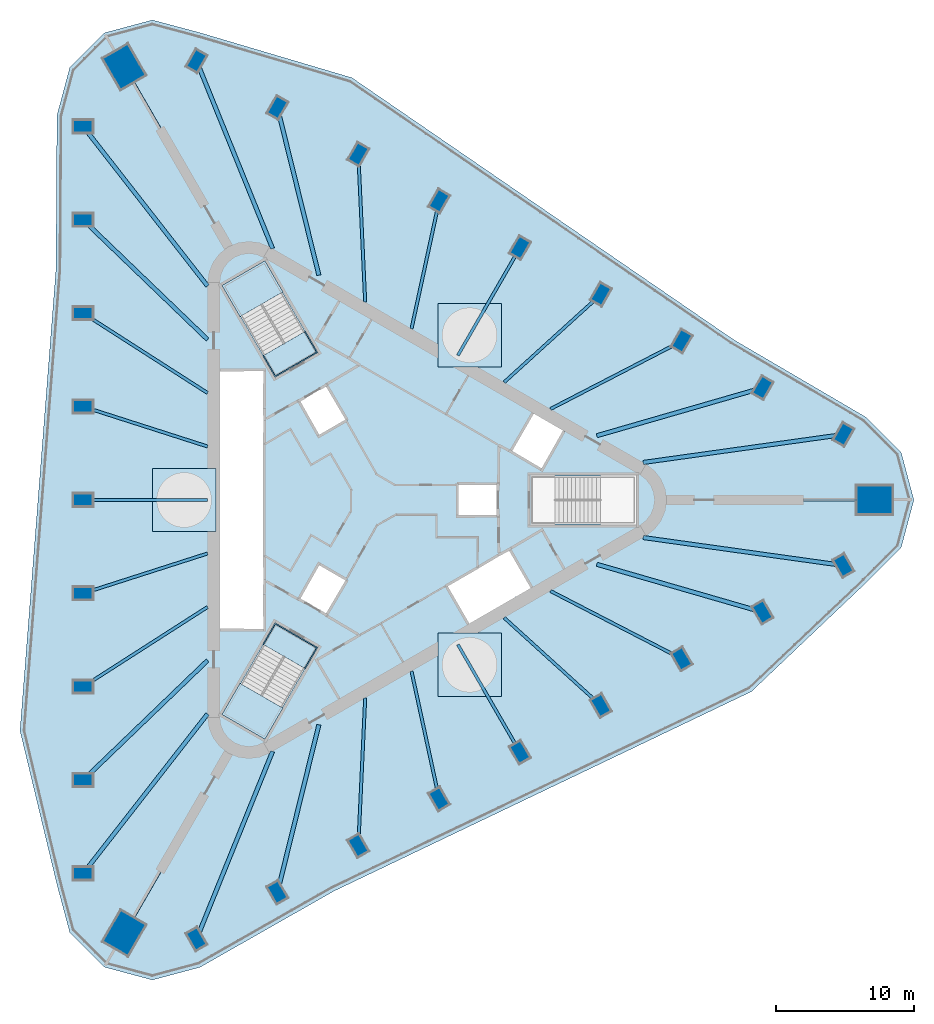
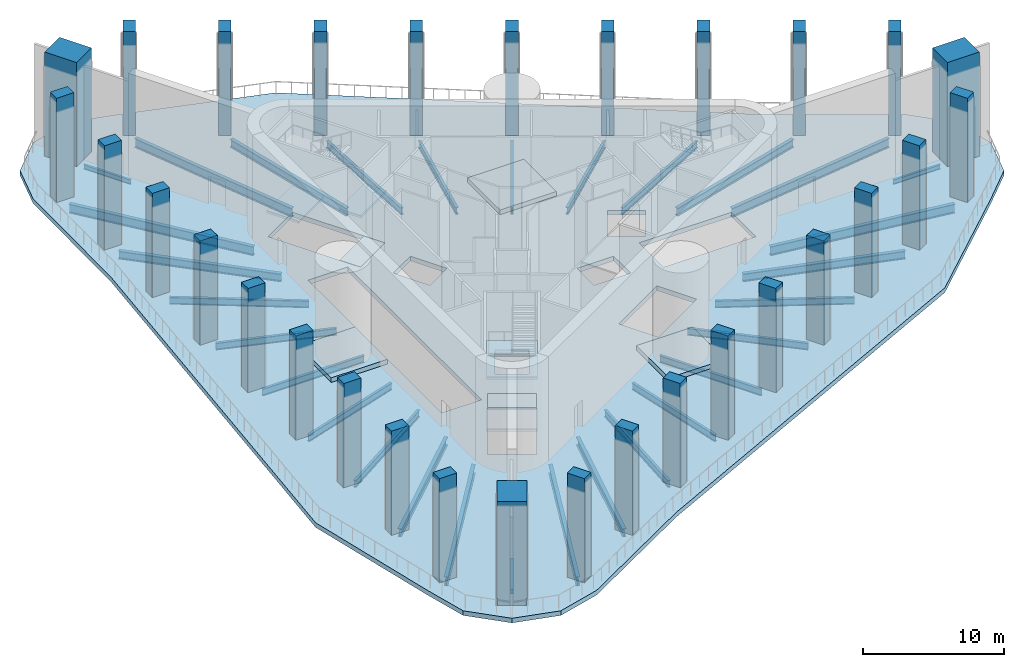
# One storey, part 1 of 10: 30 beams, 30 columns, 11 slabs, 2 elements without a shape of their own.
"""IFC4 building model written with IfcOpenShell, lengths in metres."""

import ifcopenshell
import ifcopenshell.guid

model = None  # the IFC model being written
_history = None  # IfcOwnerHistory: only IFC2X3 demands one
_inside = {}  # id of a spatial element -> (the spatial element, [elements in it])
_under = {}  # id of a project, library or spatial element -> (it, [spatial elements below it])
_declared = {}  # id of a project -> (the project, [libraries it declares])
_typed = {}  # id of a type object -> (the type object, [elements of that type])
_made_of = {}  # id of a material, layer set ... -> (it, [elements and type objects made of it])


def new_model(schema):
    """Start an empty IFC model of exactly this schema.

    Asked for "IFC4X3", IfcOpenShell would pick the latest addendum, in which some entities
    have other attributes; the version numbers below select the first issue.
    IFC2X3 requires an IfcOwnerHistory on every rooted entity: one is made here for all.
    """
    global model, _history
    if schema == "IFC4X3":
        model = ifcopenshell.file(schema_version=(4, 3, 0, 0))
    else:
        model = ifcopenshell.file(schema=schema)
    _inside.clear()
    _under.clear()
    _declared.clear()
    _typed.clear()
    _made_of.clear()
    _history = None
    if model.schema == "IFC2X3":
        org = make("IfcOrganization", Name="unknown")
        user = make(
            "IfcPersonAndOrganization",
            ThePerson=make("IfcPerson", FamilyName="unknown"),
            TheOrganization=org,
        )
        app = make(
            "IfcApplication",
            ApplicationDeveloper=org,
            Version="unknown",
            ApplicationFullName="unknown",
            ApplicationIdentifier="unknown",
        )
        _history = make(
            "IfcOwnerHistory",
            OwningUser=user,
            OwningApplication=app,
            ChangeAction="ADDED",
            CreationDate=0,
        )
    return model


def make(cls, **values):
    """One entity of the class cls with the attributes given. An attribute that is None is left unset."""
    return model.create_entity(
        cls, **{name: value for name, value in values.items() if value is not None}
    )


def rooted(cls, **values):
    """An entity with a GlobalId (a new one), such as an element, a storey or a relation."""
    return make(cls, GlobalId=ifcopenshell.guid.new(), OwnerHistory=_history, **values)


def si_unit(unit_type, name, prefix=None):
    """IfcSIUnit, for example si_unit("LENGTHUNIT", "METRE", prefix="MILLI")."""
    return make("IfcSIUnit", UnitType=unit_type, Prefix=prefix, Name=name)


def assignment(units):
    """IfcUnitAssignment: the units of a project."""
    return None if units is None else make("IfcUnitAssignment", Units=units)


def point(xyz):
    """IfcCartesianPoint."""
    return None if xyz is None else make("IfcCartesianPoint", Coordinates=xyz)


def direction(xyz):
    """IfcDirection."""
    return None if xyz is None else make("IfcDirection", DirectionRatios=xyz)


def frame(location, z_axis=None, x_axis=None):
    """IfcAxis2Placement3D, a coordinate frame: its origin and axes. An axis left out is left unset."""
    return make(
        "IfcAxis2Placement3D",
        Location=point(location),
        Axis=direction(z_axis),
        RefDirection=direction(x_axis),
    )


def frame_2d(location, x_axis=None):
    """IfcAxis2Placement2D, a coordinate frame in the plane: its origin and x axis."""
    return make(
        "IfcAxis2Placement2D", Location=point(location), RefDirection=direction(x_axis)
    )


def origin():
    """The frame at (0, 0, 0) with its axes left unset."""
    return frame((0.0, 0.0, 0.0))


def origin_2d():
    """The frame at (0, 0) in the plane with its x axis left unset."""
    return frame_2d((0.0, 0.0))


def place(relative_to, where):
    """IfcLocalPlacement: puts the frame where relative to a parent placement (None: the world)."""
    return make(
        "IfcLocalPlacement", PlacementRelTo=relative_to, RelativePlacement=where
    )


def context(
    kind, dimensions, precision=None, world=None, true_north=None, identifier=None
):
    """IfcGeometricRepresentationContext, for example the 3D "Model" context."""
    return make(
        "IfcGeometricRepresentationContext",
        ContextIdentifier=identifier,
        ContextType=kind,
        CoordinateSpaceDimension=dimensions,
        Precision=precision,
        WorldCoordinateSystem=world,
        TrueNorth=true_north,
    )


def subcontext(parent, identifier, kind, view, scale=None):
    """IfcGeometricRepresentationSubContext, for example "Body" below "Model"."""
    return make(
        "IfcGeometricRepresentationSubContext",
        ContextIdentifier=identifier,
        ContextType=kind,
        ParentContext=parent,
        TargetScale=scale,
        TargetView=view,
    )


def project(units=None, contexts=None):
    """IfcProject with its units and contexts."""
    return rooted(
        "IfcProject",
        Name="project",
        RepresentationContexts=contexts,
        UnitsInContext=assignment(units),
    )


def spatial(cls, under=None, at=None, **own):
    """A site, building, storey or space (cls), placed at a placement, below another one or the project."""
    s = rooted(cls, ObjectPlacement=at, **own)
    if under is not None:
        _under.setdefault(under.id(), (under, []))[1].append(s)
    return s


def polyline(points):
    """IfcPolyline through the points."""
    return make("IfcPolyline", Points=[point(p) for p in points])


def profile(cls, at=None, kind="AREA", **sizes):
    """A parametric profile (cls). Its sizes go by their IFC names, for example OverallWidth=200.0."""
    return make(cls, ProfileType=kind, Position=at, **sizes)


def rectangle(**sizes):
    """IfcRectangleProfileDef."""
    return profile("IfcRectangleProfileDef", **sizes)


def i_section(**sizes):
    """IfcIShapeProfileDef."""
    return profile("IfcIShapeProfileDef", **sizes)


def outline(outer, holes=None, kind="AREA"):
    """IfcArbitraryClosedProfileDef: a profile drawn as a closed curve; with holes, ...WithVoids."""
    if holes is None:
        return make("IfcArbitraryClosedProfileDef", ProfileType=kind, OuterCurve=outer)
    return make(
        "IfcArbitraryProfileDefWithVoids",
        ProfileType=kind,
        OuterCurve=outer,
        InnerCurves=holes,
    )


def extrude(swept, where, along, depth):
    """IfcExtrudedAreaSolid: the profile swept, set in the frame where, extruded along a direction by depth."""
    return make(
        "IfcExtrudedAreaSolid",
        SweptArea=swept,
        Position=where,
        ExtrudedDirection=direction(along),
        Depth=depth,
    )


def shape(context_of_items, identifier, shape_type, items):
    """IfcShapeRepresentation: the items that make up one representation, for example the "Body"."""
    return make(
        "IfcShapeRepresentation",
        ContextOfItems=context_of_items,
        RepresentationIdentifier=identifier,
        RepresentationType=shape_type,
        Items=items,
    )


def material(Name=None, Category=None):
    """IfcMaterial."""
    return make("IfcMaterial", Name=Name, Category=Category)


def layer(
    of_material, thickness, ventilated=None, Name=None, Category=None, Priority=None
):
    """IfcMaterialLayer: one layer of a wall or slab, of a material (None: an air gap)."""
    return make(
        "IfcMaterialLayer",
        Material=of_material,
        LayerThickness=thickness,
        IsVentilated=ventilated,
        Name=Name,
        Category=Category,
        Priority=Priority,
    )


def layer_set(layers, Name=None):
    """IfcMaterialLayerSet."""
    return make("IfcMaterialLayerSet", MaterialLayers=layers, LayerSetName=Name)


def material_profile(
    of_material, cross_section, Name=None, Category=None, Priority=None
):
    """IfcMaterialProfile: a cross section and its material."""
    return make(
        "IfcMaterialProfile",
        Name=Name,
        Material=of_material,
        Profile=cross_section,
        Priority=Priority,
        Category=Category,
    )


def profile_set(profiles, Name=None, composite=None):
    """IfcMaterialProfileSet."""
    return make(
        "IfcMaterialProfileSet",
        Name=Name,
        MaterialProfiles=profiles,
        CompositeProfile=composite,
    )


def made_of(thing, what):
    """Note that an element or type object is made of a material, layer set ...; save() writes the relation."""
    if what is not None:
        _made_of.setdefault(what.id(), (what, []))[1].append(thing)
    return thing


def type_object(cls, material=None, **own):
    """A type object (cls), such as IfcWallType, which elements share."""
    return made_of(rooted(cls, **own), material)


def element(
    cls,
    number,
    at=None,
    inside=None,
    cuts=None,
    type_object=None,
    material=None,
    context=None,
    identifier="Body",
    shape_type=None,
    held_by="IfcProductDefinitionShape",
    body=None,
    shapes=None,
    **own,
):
    """One element of the class cls, such as IfcWall. Its Tag is "e" and its number.

    at: its placement. inside: the storey or other place that contains it. cuts: it is an
    opening in that element (IfcRelVoidsElement). A single representation is given by context,
    identifier, shape_type and body (its items); several are given by shapes. held_by: the class
    of the entity that holds the representations. save() writes the other relations.
    """
    e = rooted(cls, Tag="e%d" % number, ObjectPlacement=at, **own)
    if body is not None:
        shapes = [shape(context, identifier, shape_type, body)]
    if shapes is not None:
        e.Representation = make(held_by, Representations=shapes)
    if inside is not None:
        _inside.setdefault(inside.id(), (inside, []))[1].append(e)
    if cuts is not None:
        rooted(
            "IfcRelVoidsElement", RelatingBuildingElement=cuts, RelatedOpeningElement=e
        )
    if type_object is not None:
        _typed.setdefault(type_object.id(), (type_object, []))[1].append(e)
    return made_of(e, material)


def aggregate(whole, parts):
    """IfcRelAggregates: a whole, such as a stair, and the parts it consists of."""
    return rooted("IfcRelAggregates", RelatingObject=whole, RelatedObjects=parts)


def save(model, path):
    """Write the relations noted so far, then the file.

    IfcRelAggregates (storeys below a building ...), IfcRelContainedInSpatialStructure (elements
    in a storey), IfcRelDefinesByType, IfcRelAssociatesMaterial and IfcRelDeclares: one each for
    every whole, place, type object, material and project.
    """
    for whole, parts in _under.values():
        aggregate(whole, parts)
    for where, things in _inside.values():
        rooted(
            "IfcRelContainedInSpatialStructure",
            RelatedElements=things,
            RelatingStructure=where,
        )
    for kind, things in _typed.values():
        rooted("IfcRelDefinesByType", RelatedObjects=things, RelatingType=kind)
    for what, things in _made_of.values():
        rooted("IfcRelAssociatesMaterial", RelatedObjects=things, RelatingMaterial=what)
    for by, libraries in _declared.values():
        rooted("IfcRelDeclares", RelatingContext=by, RelatedDefinitions=libraries)
    model.write(path)


model = new_model("IFC4")

# Units and contexts
model_context = context("Model", 3, precision=1e-05, world=origin(), true_north=direction((0.0, 1.0)))
body_context = subcontext(model_context, "Body", "Model", "MODEL_VIEW")
ifc_project = project(units=[si_unit("LENGTHUNIT", "METRE"), si_unit("AREAUNIT", "SQUARE_METRE"), si_unit("VOLUMEUNIT", "CUBIC_METRE"), si_unit("PLANEANGLEUNIT", "RADIAN"), si_unit("MASSUNIT", "GRAM", prefix="KILO")], contexts=[model_context])

# Site, building, storey
site_placement = place(None, origin())
site = spatial("IfcSite", under=ifc_project, at=site_placement, CompositionType="ELEMENT")
building_placement = place(site_placement, origin())
building = spatial("IfcBuilding", under=site, at=building_placement, Name="Tanit Gate Tower", CompositionType="ELEMENT")
storey_placement = place(building_placement, frame((0.0, 0.0, 283.699951171875)))
storey = spatial("IfcBuildingStorey", under=building, at=storey_placement, Name="L64", CompositionType="ELEMENT", Elevation=283.699951171875)

# Columns
ifc_material_1 = material(Name="Concrete C60/75", Category="concrete")
ifc_material_profile_1 = material_profile(ifc_material_1, rectangle(XDim=2.60009765625, YDim=2.10009765625, at=origin_2d()), Name="RC 2600x2100")
ifc_profile_set_1 = profile_set([ifc_material_profile_1], Name="Concrete C60/75")
column_type_1 = type_object("IfcColumnType", Name="MEGA COLUMN 2600x2100 C60/75", PredefinedType="COLUMN", material=ifc_profile_set_1)
for number, where, z_axis, x_axis, name in (
    (1, (36.270263671875, 0.0, 0.0), (0.0, 0.0, 1.0), (1.0, 0.0, 0.0), "MEGA COLUMN"),
    (2, (-18.135009765625, 31.410888671875, 0.0), (0.0, 0.0, 1.0), (-0.5, 0.866025403784, 0.0), "MEGA COLUMN"),
    (3, (-18.135009765625, -31.410888671875, 0.0), (0.0, 0.0, 1.0), (-0.5, -0.866025403784, 0.0), "MEGA COLUMN"),
):
    element("IfcColumn", number, at=place(storey_placement, frame(where, z_axis=z_axis, x_axis=x_axis)), inside=storey, type_object=column_type_1, Name=name, PredefinedType="COLUMN", context=body_context, shape_type="SweptSolid", body=[
        extrude(rectangle(XDim=2.60009765625, YDim=2.10009765625, at=origin_2d()), origin(), (0.0, 0.0, 1.0), 9.0),
    ])
ifc_material_2 = material(Name="Concrete C50/60", Category="concrete")
ifc_material_profile_2 = material_profile(ifc_material_2, rectangle(XDim=1.39990234375, YDim=0.89990234375, at=origin_2d()), Name="RC 1400x900")
ifc_profile_set_2 = profile_set([ifc_material_profile_2], Name="Concrete C50/60")
column_type_2 = type_object("IfcColumnType", Name="PERIMETER COLUMN 1400x900 C50/60", PredefinedType="COLUMN", material=ifc_profile_set_2)
for number, where, z_axis, x_axis, name in (
    (4, (-21.121337890625, 27.083984375, 0.0), (0.0, 0.0, 1.0), (-1.0, 0.0, 0.0), "PERIMETER COLUMN"),
    (5, (-21.121337890625, 20.31298828125, 0.0), (0.0, 0.0, 1.0), (-1.0, 0.0, 0.0), "PERIMETER COLUMN"),
    (6, (-21.121337890625, 13.5419921875, 0.0), (0.0, 0.0, 1.0), (-1.0, 0.0, 0.0), "PERIMETER COLUMN"),
    (7, (-21.121337890625, 6.77099609375, 0.0), (0.0, 0.0, 1.0), (-1.0, 0.0, 0.0), "PERIMETER COLUMN"),
    (8, (-21.121337890625, 0.0, 0.0), (0.0, 0.0, 1.0), (-1.0, 0.0, 0.0), "PERIMETER COLUMN"),
    (9, (-21.121337890625, -6.77099609375, 0.0), (0.0, 0.0, 1.0), (-1.0, 0.0, 0.0), "PERIMETER COLUMN"),
    (10, (-21.121337890625, -13.5419921875, 0.0), (0.0, 0.0, 1.0), (-1.0, 0.0, 0.0), "PERIMETER COLUMN"),
    (11, (-21.121337890625, -20.31298828125, 0.0), (0.0, 0.0, 1.0), (-1.0, 0.0, 0.0), "PERIMETER COLUMN"),
    (12, (-21.121337890625, -27.083984375, 0.0), (0.0, 0.0, 1.0), (-1.0, 0.0, 0.0), "PERIMETER COLUMN"),
    (13, (34.01611328125, 4.749755859375, 0.0), (0.0, 0.0, 1.0), (0.5, 0.866025403784, 0.0), "PERIMETER COLUMN"),
    (14, (28.152099609375, 8.13525390625, 0.0), (0.0, 0.0, 1.0), (0.5, 0.866025403784, 0.0), "PERIMETER COLUMN"),
    (15, (22.288330078125, 11.520751953125, 0.0), (0.0, 0.0, 1.0), (0.5, 0.866025403784, 0.0), "PERIMETER COLUMN"),
    (16, (16.424560546875, 14.90625, 0.0), (0.0, 0.0, 1.0), (0.5, 0.866025403784, 0.0), "PERIMETER COLUMN"),
    (17, (10.560791015625, 18.291748046875, 0.0), (0.0, 0.0, 1.0), (0.5, 0.866025403784, 0.0), "PERIMETER COLUMN"),
    (18, (4.697021484375, 21.67724609375, 0.0), (0.0, 0.0, 1.0), (0.5, 0.866025403784, 0.0), "PERIMETER COLUMN"),
    (19, (-1.1669921875, 25.062744140625, 0.0), (0.0, 0.0, 1.0), (0.5, 0.866025403784, 0.0), "PERIMETER COLUMN"),
    (20, (-7.03076171875, 28.4482421875, 0.0), (0.0, 0.0, 1.0), (0.5, 0.866025403784, 0.0), "PERIMETER COLUMN"),
    (21, (-12.894775390625, 31.83349609375, 0.0), (0.0, 0.0, 1.0), (0.5, 0.866025403784, 0.0), "PERIMETER COLUMN"),
    (22, (-12.894775390625, -31.83349609375, 0.0), (0.0, 0.0, 1.0), (0.5, -0.866025403784, 0.0), "PERIMETER COLUMN"),
    (23, (-7.03076171875, -28.4482421875, 0.0), (0.0, 0.0, 1.0), (0.5, -0.866025403784, 0.0), "PERIMETER COLUMN"),
    (24, (-1.1669921875, -25.062744140625, 0.0), (0.0, 0.0, 1.0), (0.5, -0.866025403784, 0.0), "PERIMETER COLUMN"),
    (25, (4.697021484375, -21.67724609375, 0.0), (0.0, 0.0, 1.0), (0.5, -0.866025403784, 0.0), "PERIMETER COLUMN"),
    (26, (10.560791015625, -18.291748046875, 0.0), (0.0, 0.0, 1.0), (0.5, -0.866025403784, 0.0), "PERIMETER COLUMN"),
    (27, (16.424560546875, -14.90625, 0.0), (0.0, 0.0, 1.0), (0.5, -0.866025403784, 0.0), "PERIMETER COLUMN"),
    (28, (22.288330078125, -11.520751953125, 0.0), (0.0, 0.0, 1.0), (0.5, -0.866025403784, 0.0), "PERIMETER COLUMN"),
    (29, (28.152099609375, -8.13525390625, 0.0), (0.0, 0.0, 1.0), (0.5, -0.866025403784, 0.0), "PERIMETER COLUMN"),
    (30, (34.01611328125, -4.749755859375, 0.0), (0.0, 0.0, 1.0), (0.5, -0.866025403784, 0.0), "PERIMETER COLUMN"),
):
    element("IfcColumn", number, at=place(storey_placement, frame(where, z_axis=z_axis, x_axis=x_axis)), inside=storey, type_object=column_type_2, Name=name, PredefinedType="COLUMN", context=body_context, shape_type="SweptSolid", body=[
        extrude(rectangle(XDim=1.39990234375, YDim=0.89990234375, at=origin_2d()), origin(), (0.0, 0.0, 1.0), 9.0),
    ])

# Beams
ifc_material_3 = material(Name="Steel S355", Category="steel")
ifc_material_profile_3 = material_profile(ifc_material_3, i_section(OverallWidth=0.300048828125, OverallDepth=0.68994140625, WebThickness=0.014404296875, FlangeThickness=0.027099609375, FilletRadius=0.027099609375, at=origin_2d()), Name="HEA 700")
ifc_profile_set_3 = profile_set([ifc_material_profile_3], Name="Steel S355")
beam_type_1 = type_object("IfcBeamType", Name="RADIAL GIRDER HEA 700 S355", PredefinedType="BEAM", material=ifc_profile_set_3)
beam_1_placement = place(storey_placement, frame((-20.653564453125, -19.86279296875, -0.744873046875), z_axis=(0.720779680612, 0.693164231634, 0.0), x_axis=(-0.693164231634, 0.720779680612, 0.0)))
element("IfcBeam", 31, at=beam_1_placement, inside=storey, type_object=beam_type_1, Name="RADIAL GIRDER", PredefinedType="BEAM", context=body_context, shape_type="SweptSolid", body=[
    extrude(i_section(OverallWidth=0.300048828125, OverallDepth=0.68994140625, WebThickness=0.014404296875, FlangeThickness=0.027099609375, FilletRadius=0.027099609375, at=origin_2d()), origin(), (0.0, 0.0, 1.0), 11.8642578125),
])
beam_2_placement = place(storey_placement, frame((-6.875, -27.818115234375, -0.744873046875), z_axis=(0.239929921854, 0.970790210395, 0.0), x_axis=(-0.970790210395, 0.239929921854, 0.0)))
element("IfcBeam", 32, at=beam_2_placement, inside=storey, type_object=beam_type_1, Name="RADIAL GIRDER", PredefinedType="BEAM", context=body_context, shape_type="SweptSolid", body=[
    extrude(i_section(OverallWidth=0.300048828125, OverallDepth=0.68994140625, WebThickness=0.014404296875, FlangeThickness=0.027099609375, FilletRadius=0.027099609375, at=origin_2d()), origin(), (0.0, 0.0, 1.0), 11.86474609375),
])
for number, where, z_axis, x_axis, name in (
    (33, (27.528564453125, -7.955078125, -0.744873046875), (-0.960692598628, 0.277614356511, 0.0), (-0.277614356511, -0.960692598628, 0.0), "RADIAL GIRDER"),
    (34, (27.528564453125, 7.955078125, -0.744873046875), (-0.960692598628, -0.277614356511, 0.0), (0.277614356511, -0.960692598628, 0.0), "RADIAL GIRDER"),
):
    element("IfcBeam", number, at=place(storey_placement, frame(where, z_axis=z_axis, x_axis=x_axis)), inside=storey, type_object=beam_type_1, Name=name, PredefinedType="BEAM", context=body_context, shape_type="SweptSolid", body=[
        extrude(i_section(OverallWidth=0.300048828125, OverallDepth=0.68994140625, WebThickness=0.014404296875, FlangeThickness=0.027099609375, FilletRadius=0.027099609375, at=origin_2d()), origin(), (0.0, 0.0, 1.0), 11.8642578125),
    ])
beam_3_placement = place(storey_placement, frame((-6.875, 27.818115234375, -0.744873046875), z_axis=(0.239929921854, -0.970790210395, 0.0), x_axis=(0.970790210395, 0.239929921854, 0.0)))
element("IfcBeam", 35, at=beam_3_placement, inside=storey, type_object=beam_type_1, Name="RADIAL GIRDER", PredefinedType="BEAM", context=body_context, shape_type="SweptSolid", body=[
    extrude(i_section(OverallWidth=0.300048828125, OverallDepth=0.68994140625, WebThickness=0.014404296875, FlangeThickness=0.027099609375, FilletRadius=0.027099609375, at=origin_2d()), origin(), (0.0, 0.0, 1.0), 11.86474609375),
])
beam_4_placement = place(storey_placement, frame((-20.653564453125, 19.86279296875, -0.744873046875), z_axis=(0.720779680612, -0.693164231634, 0.0), x_axis=(0.693164231634, 0.720779680612, 0.0)))
element("IfcBeam", 36, at=beam_4_placement, inside=storey, type_object=beam_type_1, Name="RADIAL GIRDER", PredefinedType="BEAM", context=body_context, shape_type="SweptSolid", body=[
    extrude(i_section(OverallWidth=0.300048828125, OverallDepth=0.68994140625, WebThickness=0.014404296875, FlangeThickness=0.027099609375, FilletRadius=0.027099609375, at=origin_2d()), origin(), (0.0, 0.0, 1.0), 11.8642578125),
])
ifc_material_4 = material(Name="Steel S355", Category="steel")
ifc_material_profile_4 = material_profile(ifc_material_4, i_section(OverallWidth=0.300048828125, OverallDepth=0.7900390625, WebThickness=0.014892578125, FlangeThickness=0.028076171875, FilletRadius=0.030029296875, at=origin_2d()), Name="HEA 800")
ifc_profile_set_4 = profile_set([ifc_material_profile_4], Name="Steel S355")
beam_type_2 = type_object("IfcBeamType", Name="RADIAL GIRDER HEA 800 S355", PredefinedType="BEAM", material=ifc_profile_set_4)
beam_5_placement = place(storey_placement, frame((-20.7705078125, -26.6337890625, -0.794921875), z_axis=(0.614960509334, 0.788557906536, 0.0), x_axis=(-0.788557906536, 0.614960509334, 0.0)))
element("IfcBeam", 37, at=beam_5_placement, inside=storey, type_object=beam_type_2, Name="RADIAL GIRDER", PredefinedType="BEAM", context=body_context, shape_type="SweptSolid", body=[
    extrude(i_section(OverallWidth=0.300048828125, OverallDepth=0.7900390625, WebThickness=0.014892578125, FlangeThickness=0.028076171875, FilletRadius=0.030029296875, at=origin_2d()), origin(), (0.0, 0.0, 1.0), 14.095947265625),
])
beam_6_placement = place(storey_placement, frame((-12.680419921875, -31.3046875, -0.794921875), z_axis=(0.375439354179, 0.926846962197, 0.0), x_axis=(-0.926846962197, 0.375439354179, 0.0)))
element("IfcBeam", 38, at=beam_6_placement, inside=storey, type_object=beam_type_2, Name="RADIAL GIRDER", PredefinedType="BEAM", context=body_context, shape_type="SweptSolid", body=[
    extrude(i_section(OverallWidth=0.300048828125, OverallDepth=0.7900390625, WebThickness=0.014892578125, FlangeThickness=0.028076171875, FilletRadius=0.030029296875, at=origin_2d()), origin(), (0.0, 0.0, 1.0), 14.09619140625),
])
for number, where, z_axis, x_axis, name in (
    (39, (33.450927734375, -4.6708984375, -0.794921875), (-0.990390390759, 0.138299941769, 0.0), (-0.138299941769, -0.990390390759, 0.0), "RADIAL GIRDER"),
    (40, (33.450927734375, 4.6708984375, -0.794921875), (-0.990390390759, -0.138299941769, 0.0), (0.138299941769, -0.990390390759, 0.0), "RADIAL GIRDER"),
):
    element("IfcBeam", number, at=place(storey_placement, frame(where, z_axis=z_axis, x_axis=x_axis)), inside=storey, type_object=beam_type_2, Name=name, PredefinedType="BEAM", context=body_context, shape_type="SweptSolid", body=[
        extrude(i_section(OverallWidth=0.300048828125, OverallDepth=0.7900390625, WebThickness=0.014892578125, FlangeThickness=0.028076171875, FilletRadius=0.030029296875, at=origin_2d()), origin(), (0.0, 0.0, 1.0), 14.095947265625),
    ])
beam_7_placement = place(storey_placement, frame((-12.680419921875, 31.3046875, -0.794921875), z_axis=(0.375439354179, -0.926846962197, 0.0), x_axis=(0.926846962197, 0.375439354179, 0.0)))
element("IfcBeam", 41, at=beam_7_placement, inside=storey, type_object=beam_type_2, Name="RADIAL GIRDER", PredefinedType="BEAM", context=body_context, shape_type="SweptSolid", body=[
    extrude(i_section(OverallWidth=0.300048828125, OverallDepth=0.7900390625, WebThickness=0.014892578125, FlangeThickness=0.028076171875, FilletRadius=0.030029296875, at=origin_2d()), origin(), (0.0, 0.0, 1.0), 14.09619140625),
])
beam_8_placement = place(storey_placement, frame((-20.7705078125, 26.6337890625, -0.794921875), z_axis=(0.614960509334, -0.788557906536, 0.0), x_axis=(0.788557906536, 0.614960509334, 0.0)))
element("IfcBeam", 42, at=beam_8_placement, inside=storey, type_object=beam_type_2, Name="RADIAL GIRDER", PredefinedType="BEAM", context=body_context, shape_type="SweptSolid", body=[
    extrude(i_section(OverallWidth=0.300048828125, OverallDepth=0.7900390625, WebThickness=0.014892578125, FlangeThickness=0.028076171875, FilletRadius=0.030029296875, at=origin_2d()), origin(), (0.0, 0.0, 1.0), 14.095947265625),
])
ifc_material_5 = material(Name="Steel S355", Category="steel")
ifc_material_profile_5 = material_profile(ifc_material_5, i_section(OverallWidth=0.179931640625, OverallDepth=0.39990234375, WebThickness=0.008544921875, FlangeThickness=0.013427734375, FilletRadius=0.02099609375, at=origin_2d()), Name="IPE 400")
ifc_profile_set_5 = profile_set([ifc_material_profile_5], Name="Steel S355")
beam_type_3 = type_object("IfcBeamType", Name="RADIAL GIRDER IPE 400 S355", PredefinedType="BEAM", material=ifc_profile_set_5)
for number, where, z_axis, x_axis, name in (
    (43, (-17.485107421875, -30.28515625, -0.599853515625), (0.499980071345, 0.866036909293, 0.0), (-0.866036909293, 0.499980071345, 0.0), "RADIAL GIRDER"),
    (44, (34.97021484375, 0.0, -0.599853515625), (-1.0, 0.0, 0.0), (0.0, -1.0, 0.0), "RADIAL GIRDER"),
    (45, (-17.485107421875, 30.28515625, -0.599853515625), (0.499980071345, -0.866036909293, 0.0), (0.866036909293, 0.499980071345, 0.0), "RADIAL GIRDER"),
):
    element("IfcBeam", number, at=place(storey_placement, frame(where, z_axis=z_axis, x_axis=x_axis)), inside=storey, type_object=beam_type_3, Name=name, PredefinedType="BEAM", context=body_context, shape_type="SweptSolid", body=[
        extrude(i_section(OverallWidth=0.179931640625, OverallDepth=0.39990234375, WebThickness=0.008544921875, FlangeThickness=0.013427734375, FilletRadius=0.02099609375, at=origin_2d()), origin(), (0.0, 0.0, 1.0), 3.855712890625),
    ])
ifc_material_6 = material(Name="Steel S355", Category="steel")
ifc_material_profile_6 = material_profile(ifc_material_6, i_section(OverallWidth=0.219970703125, OverallDepth=0.60009765625, WebThickness=0.011962890625, FlangeThickness=0.01904296875, FilletRadius=0.02392578125, at=origin_2d()), Name="IPE 600")
ifc_profile_set_6 = profile_set([ifc_material_profile_6], Name="Steel S355")
beam_type_4 = type_object("IfcBeamType", Name="RADIAL GIRDER IPE 600 S355", PredefinedType="BEAM", material=ifc_profile_set_6)
beam_9_placement = place(storey_placement, frame((-20.42138671875, -6.546630859375, -0.699951171875), z_axis=(0.952264375412, 0.305274563828, 0.0), x_axis=(-0.305274563828, 0.952264375412, 0.0)))
element("IfcBeam", 46, at=beam_9_placement, inside=storey, type_object=beam_type_4, Name="RADIAL GIRDER", PredefinedType="BEAM", context=body_context, shape_type="SweptSolid", body=[
    extrude(i_section(OverallWidth=0.219970703125, OverallDepth=0.60009765625, WebThickness=0.011962890625, FlangeThickness=0.01904296875, FilletRadius=0.02392578125, at=origin_2d()), origin(), (0.0, 0.0, 1.0), 8.736328125),
])
beam_10_placement = place(storey_placement, frame((-20.42138671875, -13.09326171875, -0.699951171875), z_axis=(0.841829634381, 0.539743334075, 0.0), x_axis=(-0.539743334075, 0.841829634381, 0.0)))
element("IfcBeam", 47, at=beam_10_placement, inside=storey, type_object=beam_type_4, Name="RADIAL GIRDER", PredefinedType="BEAM", context=body_context, shape_type="SweptSolid", body=[
    extrude(i_section(OverallWidth=0.219970703125, OverallDepth=0.60009765625, WebThickness=0.011962890625, FlangeThickness=0.01904296875, FilletRadius=0.02392578125, at=origin_2d()), origin(), (0.0, 0.0, 1.0), 9.88232421875),
])
beam_11_placement = place(storey_placement, frame((-1.12841796875, -24.232177734375, -0.699951171875), z_axis=(0.046517005863, 0.998917498178, 0.0), x_axis=(-0.998917498178, 0.046517005863, 0.0)))
element("IfcBeam", 48, at=beam_11_placement, inside=storey, type_object=beam_type_4, Name="RADIAL GIRDER", PredefinedType="BEAM", context=body_context, shape_type="SweptSolid", body=[
    extrude(i_section(OverallWidth=0.219970703125, OverallDepth=0.60009765625, WebThickness=0.011962890625, FlangeThickness=0.01904296875, FilletRadius=0.02392578125, at=origin_2d()), origin(), (0.0, 0.0, 1.0), 9.8828125),
])
beam_12_placement = place(storey_placement, frame((4.541259765625, -20.958740234375, -0.699951171875), z_axis=(-0.211767137826, 0.977320151914, 0.0), x_axis=(-0.977320151914, -0.211767137826, 0.0)))
element("IfcBeam", 49, at=beam_12_placement, inside=storey, type_object=beam_type_4, Name="RADIAL GIRDER", PredefinedType="BEAM", context=body_context, shape_type="SweptSolid", body=[
    extrude(i_section(OverallWidth=0.219970703125, OverallDepth=0.60009765625, WebThickness=0.011962890625, FlangeThickness=0.01904296875, FilletRadius=0.02392578125, at=origin_2d()), origin(), (0.0, 0.0, 1.0), 8.736572265625),
])
beam_13_placement = place(storey_placement, frame((10.210693359375, -17.685546875, -0.699951171875), z_axis=(-0.499995954789, 0.866027739276, 0.0), x_axis=(-0.866027739276, -0.499995954789, 0.0)))
element("IfcBeam", 50, at=beam_13_placement, inside=storey, type_object=beam_type_4, Name="RADIAL GIRDER", PredefinedType="BEAM", context=body_context, shape_type="SweptSolid", body=[
    extrude(i_section(OverallWidth=0.219970703125, OverallDepth=0.60009765625, WebThickness=0.011962890625, FlangeThickness=0.01904296875, FilletRadius=0.02392578125, at=origin_2d()), origin(), (0.0, 0.0, 1.0), 8.3193359375),
])
beam_14_placement = place(storey_placement, frame((15.88037109375, -14.412109375, -0.699951171875), z_axis=(-0.740510084362, 0.672045247701, 0.0), x_axis=(-0.672045247701, -0.740510084362, 0.0)))
element("IfcBeam", 51, at=beam_14_placement, inside=storey, type_object=beam_type_4, Name="RADIAL GIRDER", PredefinedType="BEAM", context=body_context, shape_type="SweptSolid", body=[
    extrude(i_section(OverallWidth=0.219970703125, OverallDepth=0.60009765625, WebThickness=0.011962890625, FlangeThickness=0.01904296875, FilletRadius=0.02392578125, at=origin_2d()), origin(), (0.0, 0.0, 1.0), 8.736572265625),
])
for number, where, z_axis, x_axis, name in (
    (52, (21.5498046875, -11.138916015625, -0.699951171875), (-0.888343449029, 0.459179612534, 0.0), (-0.459179612534, -0.888343449029, 0.0), "RADIAL GIRDER"),
    (53, (21.5498046875, 11.138916015625, -0.699951171875), (-0.888343449029, -0.459179612534, 0.0), (0.459179612534, -0.888343449029, 0.0), "RADIAL GIRDER"),
):
    element("IfcBeam", number, at=place(storey_placement, frame(where, z_axis=z_axis, x_axis=x_axis)), inside=storey, type_object=beam_type_4, Name=name, PredefinedType="BEAM", context=body_context, shape_type="SweptSolid", body=[
        extrude(i_section(OverallWidth=0.219970703125, OverallDepth=0.60009765625, WebThickness=0.011962890625, FlangeThickness=0.01904296875, FilletRadius=0.02392578125, at=origin_2d()), origin(), (0.0, 0.0, 1.0), 9.882568359375),
    ])
beam_15_placement = place(storey_placement, frame((15.88037109375, 14.412109375, -0.699951171875), z_axis=(-0.740510084362, -0.672045247701, 0.0), x_axis=(0.672045247701, -0.740510084362, 0.0)))
element("IfcBeam", 54, at=beam_15_placement, inside=storey, type_object=beam_type_4, Name="RADIAL GIRDER", PredefinedType="BEAM", context=body_context, shape_type="SweptSolid", body=[
    extrude(i_section(OverallWidth=0.219970703125, OverallDepth=0.60009765625, WebThickness=0.011962890625, FlangeThickness=0.01904296875, FilletRadius=0.02392578125, at=origin_2d()), origin(), (0.0, 0.0, 1.0), 8.736572265625),
])
beam_16_placement = place(storey_placement, frame((10.210693359375, 17.685546875, -0.699951171875), z_axis=(-0.499995954789, -0.866027739276, 0.0), x_axis=(0.866027739276, -0.499995954789, 0.0)))
element("IfcBeam", 55, at=beam_16_placement, inside=storey, type_object=beam_type_4, Name="RADIAL GIRDER", PredefinedType="BEAM", context=body_context, shape_type="SweptSolid", body=[
    extrude(i_section(OverallWidth=0.219970703125, OverallDepth=0.60009765625, WebThickness=0.011962890625, FlangeThickness=0.01904296875, FilletRadius=0.02392578125, at=origin_2d()), origin(), (0.0, 0.0, 1.0), 8.3193359375),
])
beam_17_placement = place(storey_placement, frame((4.541259765625, 20.958740234375, -0.699951171875), z_axis=(-0.211767137826, -0.977320151914, 0.0), x_axis=(0.977320151914, -0.211767137826, 0.0)))
element("IfcBeam", 56, at=beam_17_placement, inside=storey, type_object=beam_type_4, Name="RADIAL GIRDER", PredefinedType="BEAM", context=body_context, shape_type="SweptSolid", body=[
    extrude(i_section(OverallWidth=0.219970703125, OverallDepth=0.60009765625, WebThickness=0.011962890625, FlangeThickness=0.01904296875, FilletRadius=0.02392578125, at=origin_2d()), origin(), (0.0, 0.0, 1.0), 8.736572265625),
])
beam_18_placement = place(storey_placement, frame((-1.12841796875, 24.232177734375, -0.699951171875), z_axis=(0.046517005863, -0.998917498178, 0.0), x_axis=(0.998917498178, 0.046517005863, 0.0)))
element("IfcBeam", 57, at=beam_18_placement, inside=storey, type_object=beam_type_4, Name="RADIAL GIRDER", PredefinedType="BEAM", context=body_context, shape_type="SweptSolid", body=[
    extrude(i_section(OverallWidth=0.219970703125, OverallDepth=0.60009765625, WebThickness=0.011962890625, FlangeThickness=0.01904296875, FilletRadius=0.02392578125, at=origin_2d()), origin(), (0.0, 0.0, 1.0), 9.8828125),
])
beam_19_placement = place(storey_placement, frame((-20.42138671875, 13.09326171875, -0.699951171875), z_axis=(0.841829634381, -0.539743334075, 0.0), x_axis=(0.539743334075, 0.841829634381, 0.0)))
element("IfcBeam", 58, at=beam_19_placement, inside=storey, type_object=beam_type_4, Name="RADIAL GIRDER", PredefinedType="BEAM", context=body_context, shape_type="SweptSolid", body=[
    extrude(i_section(OverallWidth=0.219970703125, OverallDepth=0.60009765625, WebThickness=0.011962890625, FlangeThickness=0.01904296875, FilletRadius=0.02392578125, at=origin_2d()), origin(), (0.0, 0.0, 1.0), 9.88232421875),
])
beam_20_placement = place(storey_placement, frame((-20.42138671875, 6.546630859375, -0.699951171875), z_axis=(0.952264375412, -0.305274563828, 0.0), x_axis=(0.305274563828, 0.952264375412, 0.0)))
element("IfcBeam", 59, at=beam_20_placement, inside=storey, type_object=beam_type_4, Name="RADIAL GIRDER", PredefinedType="BEAM", context=body_context, shape_type="SweptSolid", body=[
    extrude(i_section(OverallWidth=0.219970703125, OverallDepth=0.60009765625, WebThickness=0.011962890625, FlangeThickness=0.01904296875, FilletRadius=0.02392578125, at=origin_2d()), origin(), (0.0, 0.0, 1.0), 8.736328125),
])
beam_21_placement = place(storey_placement, frame((-20.42138671875, 0.0, -0.699951171875), z_axis=(1.0, 0.0, 0.0), x_axis=(0.0, 1.0, 0.0)))
element("IfcBeam", 60, at=beam_21_placement, inside=storey, type_object=beam_type_4, Name="RADIAL GIRDER", PredefinedType="BEAM", context=body_context, shape_type="SweptSolid", body=[
    extrude(i_section(OverallWidth=0.219970703125, OverallDepth=0.60009765625, WebThickness=0.011962890625, FlangeThickness=0.01904296875, FilletRadius=0.02392578125, at=origin_2d()), origin(), (0.0, 0.0, 1.0), 8.3193359375),
])

# Slabs
ifc_material_7 = material(Name="Concrete C40/50", Category="concrete")
ifc_layer_1 = layer(ifc_material_7, 0.39990234375)
ifc_layer_set_1 = layer_set([ifc_layer_1], Name="EQUIPMENT PLINTH 400 C40/50")
slab_type_1 = type_object("IfcSlabType", Name="EQUIPMENT PLINTH 400 C40/50", PredefinedType="USERDEFINED", material=ifc_layer_set_1)
slab_1_placement = place(storey_placement, origin())
element("IfcSlab", 61, at=slab_1_placement, inside=storey, type_object=slab_type_1, Name="Turbine plinth 1", ObjectType="EQUIPMENT PLINTH", PredefinedType="USERDEFINED", context=body_context, shape_type="SweptSolid", body=[
    extrude(outline(polyline([(4.60009765625, 9.651123046875), (9.199951171875, 9.651123046875), (9.199951171875, 14.251220703125), (4.60009765625, 14.251220703125), (4.60009765625, 9.651123046875)])), origin(), (0.0, 0.0, 1.0), 0.400146484375),
])
slab_2_placement = place(storey_placement, origin())
element("IfcSlab", 62, at=slab_2_placement, inside=storey, type_object=slab_type_1, Name="Turbine plinth 2", ObjectType="EQUIPMENT PLINTH", PredefinedType="USERDEFINED", context=body_context, shape_type="SweptSolid", body=[
    extrude(outline(polyline([(-16.10009765625, -2.300048828125), (-11.5, -2.300048828125), (-11.5, 2.300048828125), (-16.10009765625, 2.300048828125), (-16.10009765625, -2.300048828125)])), origin(), (0.0, 0.0, 1.0), 0.400146484375),
])
slab_3_placement = place(storey_placement, origin())
element("IfcSlab", 63, at=slab_3_placement, inside=storey, type_object=slab_type_1, Name="Turbine plinth 3", ObjectType="EQUIPMENT PLINTH", PredefinedType="USERDEFINED", context=body_context, shape_type="SweptSolid", body=[
    extrude(outline(polyline([(4.60009765625, -14.251220703125), (9.199951171875, -14.251220703125), (9.199951171875, -9.651123046875), (4.60009765625, -9.651123046875), (4.60009765625, -14.251220703125)])), origin(), (0.0, 0.0, 1.0), 0.400146484375),
])

# Stair, slabs
ifc_material_8 = material(Name="Concrete C40/50", Category="concrete")
stair_type = type_object("IfcStairType", Name="INT-STAIR-EXIT", PredefinedType="HALF_TURN_STAIR", material=ifc_material_8)
stair_1_placement = place(storey_placement, origin())
stair_1 = element("IfcStair", 64, at=stair_1_placement, inside=storey, type_object=stair_type, Name="L64 STAIR S2", PredefinedType="HALF_TURN_STAIR")
ifc_material_9 = material(Name="Concrete C40/50", Category="concrete")
ifc_layer_2 = layer(ifc_material_9, 0.199951171875)
ifc_layer_set_2 = layer_set([ifc_layer_2], Name="INT-STAIR-LANDING")
slab_type_2 = type_object("IfcSlabType", Name="INT-STAIR-LANDING", PredefinedType="LANDING", material=ifc_layer_set_2)
slab_4_placement = place(storey_placement, frame((0.0, 0.0, 2.050048828125)))
slab_4 = element("IfcSlab", 65, at=slab_4_placement, type_object=slab_type_2, Name="S2 landing 1", PredefinedType="LANDING", context=body_context, shape_type="SweptSolid", body=[
    extrude(outline(polyline([(-6.633056640625, 15.0888671875), (-7.941162109375, 17.3544921875), (-11.058837890625, 15.554443359375), (-9.750732421875, 13.2890625), (-6.633056640625, 15.0888671875)])), origin(), (0.0, 0.0, 1.0), 0.199951171875),
])
slab_5_placement = place(storey_placement, frame((0.0, 0.0, 4.300048828125)))
slab_5 = element("IfcSlab", 66, at=slab_5_placement, type_object=slab_type_2, Name="S2 landing 2", PredefinedType="LANDING", context=body_context, shape_type="SweptSolid", body=[
    extrude(outline(polyline([(-4.091064453125, 10.68603515625), (-4.9931640625, 12.248291015625), (-8.11083984375, 10.448486328125), (-7.208740234375, 8.885986328125), (-4.091064453125, 10.68603515625)])), origin(), (0.0, 0.0, 1.0), 0.199951171875),
])
aggregate(stair_1, [slab_4, slab_5])

# Slab
slab_6_placement = place(storey_placement, frame((0.0, 0.0, -0.199951171875)))
element("IfcSlab", 67, at=slab_6_placement, inside=storey, type_object=slab_type_2, Name="S2 floor landing", PredefinedType="LANDING", context=body_context, shape_type="SweptSolid", body=[
    extrude(outline(polyline([(-4.200439453125, 10.71533203125), (-5.0625, 12.20849609375), (-8.04150390625, 10.48828125), (-7.179443359375, 8.995361328125), (-4.200439453125, 10.71533203125)])), origin(), (0.0, 0.0, 1.0), 0.199951171875),
])

# Stair, slabs
stair_2_placement = place(storey_placement, origin())
stair_2 = element("IfcStair", 68, at=stair_2_placement, inside=storey, type_object=stair_type, Name="L64 STAIR S3", PredefinedType="HALF_TURN_STAIR")
slab_7_placement = place(storey_placement, frame((0.0, 0.0, 2.050048828125)))
slab_7 = element("IfcSlab", 69, at=slab_7_placement, type_object=slab_type_2, Name="S3 landing 1", PredefinedType="LANDING", context=body_context, shape_type="SweptSolid", body=[
    extrude(outline(polyline([(-9.75146484375, -13.289794921875), (-11.058837890625, -15.554443359375), (-7.941162109375, -17.3544921875), (-6.633544921875, -15.08984375), (-9.75146484375, -13.289794921875)])), origin(), (0.0, 0.0, 1.0), 0.199951171875),
])
slab_8_placement = place(storey_placement, frame((0.0, 0.0, 4.300048828125)))
slab_8 = element("IfcSlab", 70, at=slab_8_placement, type_object=slab_type_2, Name="S3 landing 2", PredefinedType="LANDING", context=body_context, shape_type="SweptSolid", body=[
    extrude(outline(polyline([(-7.208740234375, -8.885986328125), (-8.111328125, -10.44921875), (-4.99365234375, -12.249267578125), (-4.091064453125, -10.68603515625), (-7.208740234375, -8.885986328125)])), origin(), (0.0, 0.0, 1.0), 0.199951171875),
])
slab_9_placement = place(storey_placement, frame((0.0, 0.0, 6.550048828125)))
slab_9 = element("IfcSlab", 71, at=slab_9_placement, type_object=slab_type_2, Name="S3 landing 3", PredefinedType="LANDING", context=body_context, shape_type="SweptSolid", body=[
    extrude(outline(polyline([(-9.75146484375, -13.289794921875), (-11.058837890625, -15.554443359375), (-7.941162109375, -17.3544921875), (-6.633544921875, -15.08984375), (-9.75146484375, -13.289794921875)])), origin(), (0.0, 0.0, 1.0), 0.199951171875),
])
aggregate(stair_2, [slab_7, slab_8, slab_9])

# Slabs
slab_10_placement = place(storey_placement, frame((0.0, 0.0, -0.199951171875)))
element("IfcSlab", 72, at=slab_10_placement, inside=storey, type_object=slab_type_2, Name="S3 floor landing", PredefinedType="LANDING", context=body_context, shape_type="SweptSolid", body=[
    extrude(outline(polyline([(-7.179443359375, -8.995361328125), (-8.0419921875, -10.4892578125), (-5.06298828125, -12.209228515625), (-4.200439453125, -10.71533203125), (-7.179443359375, -8.995361328125)])), origin(), (0.0, 0.0, 1.0), 0.199951171875),
])
ifc_material_10 = material(Name="Concrete C35/45", Category="concrete")
ifc_layer_3 = layer(ifc_material_10, 0.39990234375)
ifc_layer_set_3 = layer_set([ifc_layer_3], Name="TURBINE LEVEL FLOOR SLAB 400 C35/45")
slab_type_3 = type_object("IfcSlabType", Name="TURBINE LEVEL FLOOR SLAB 400 C35/45", PredefinedType="FLOOR", material=ifc_layer_set_3)
slab_11_placement = place(storey_placement, frame((0.0, 0.0, -0.39990234375)))
element("IfcSlab", 73, at=slab_11_placement, inside=storey, type_object=slab_type_3, Name="FLOOR SLAB L64", PredefinedType="FLOOR", context=body_context, shape_type="SweptSolid", body=[
    extrude(outline(polyline([(35.658935546875, 5.9951171875), (38.19287109375, 3.461181640625), (39.1201171875, 0.0), (38.19287109375, -3.461181640625), (35.658935546875, -5.9951171875), (27.339111328125, -13.89208984375), (-2.942626953125, -28.364013671875), (-12.637451171875, -33.879150390625), (-16.098876953125, -34.806640625), (-19.56005859375, -33.879150390625), (-22.093994140625, -31.34521484375), (-23.021484375, -27.8837890625), (-25.7001953125, -16.73046875), (-23.092529296875, 16.73046875), (-23.021484375, 27.8837890625), (-22.093994140625, 31.34521484375), (-19.56005859375, 33.879150390625), (-16.098876953125, 34.806640625), (-12.637451171875, 33.879150390625), (-1.638671875, 30.622314453125), (26.03515625, 11.633544921875), (35.658935546875, 5.9951171875)]), holes=[polyline([(11.3701171875, 1.72998046875), (18.929931640625, 1.72998046875), (18.929931640625, -1.72998046875), (11.3701171875, -1.72998046875), (11.3701171875, 1.72998046875)]), polyline([(12.158935546875, 2.159912109375), (9.82080078125, 3.510009765625), (11.44580078125, 6.324462890625), (13.783935546875, 4.974609375), (12.158935546875, 2.159912109375)]), polyline([(11.44580078125, -6.324462890625), (6.76904296875, -9.0244140625), (5.14404296875, -6.2099609375), (9.82080078125, -3.510009765625), (11.44580078125, -6.324462890625)]), polyline([(6.0, 1.199951171875), (9.0, 1.199951171875), (9.0, -1.199951171875), (6.0, -1.199951171875), (6.0, 1.199951171875)]), polyline([(-4.039306640625, 4.59619140625), (-5.539306640625, 7.194091796875), (-3.460693359375, 8.394287109375), (-1.960693359375, 5.796142578125), (-4.039306640625, 4.59619140625)]), polyline([(-1.960693359375, -5.796142578125), (-3.460693359375, -8.394287109375), (-5.539306640625, -7.194091796875), (-4.039306640625, -4.59619140625), (-1.960693359375, -5.796142578125)]), polyline([(-7.18310546875, 8.981689453125), (-10.963134765625, 15.52880859375), (-7.966796875, 17.2587890625), (-4.186767578125, 10.711669921875), (-7.18310546875, 8.981689453125)]), polyline([(-4.186767578125, -10.711669921875), (-7.966796875, -17.2587890625), (-10.963134765625, -15.52880859375), (-7.18310546875, -8.981689453125), (-4.186767578125, -10.711669921875)]), polyline([(-11.199951171875, -9.449951171875), (-11.199951171875, 9.449951171875), (-7.949951171875, 9.449951171875), (-7.949951171875, -9.449951171875), (-11.199951171875, -9.449951171875)])]), origin(), (0.0, 0.0, 1.0), 0.39990234375),
])

save(model, "model.ifc")
